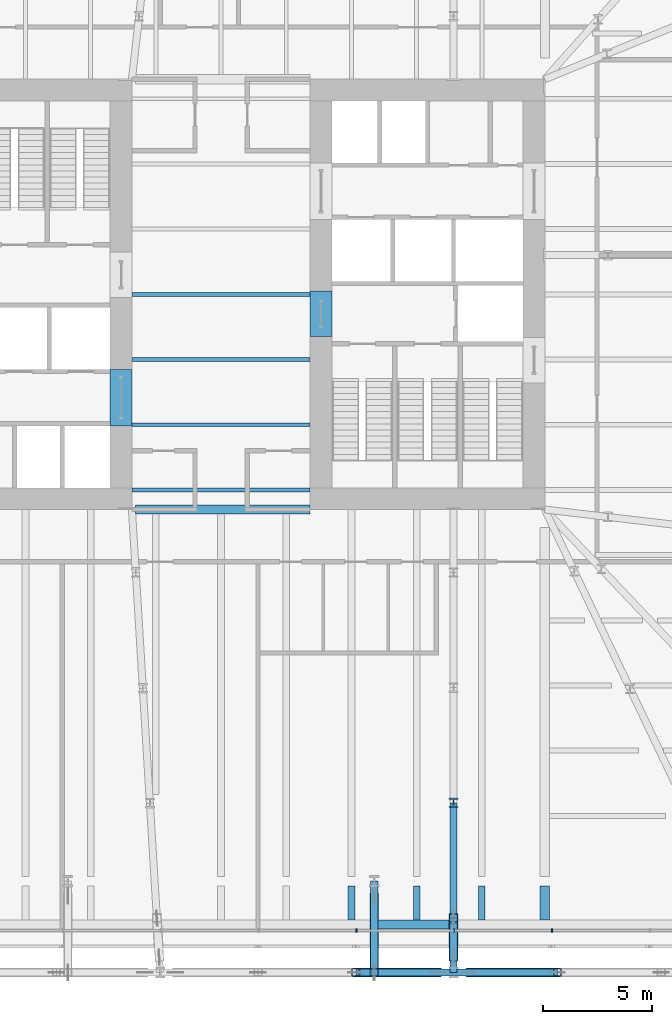
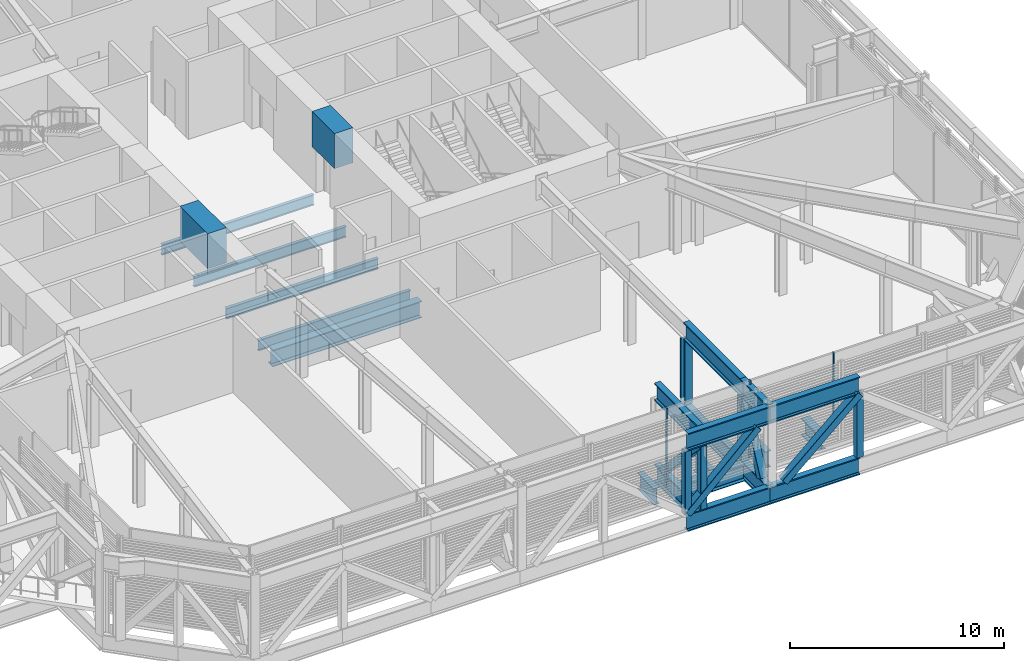
# One storey, part 6 of 29: 22 beams, 12 members, 1 element without a shape of its own.
"""IFC4 building model written with IfcOpenShell, lengths in metres."""

import ifcopenshell
import ifcopenshell.guid

model = None  # the IFC model being written
_history = None  # IfcOwnerHistory: only IFC2X3 demands one
_inside = {}  # id of a spatial element -> (the spatial element, [elements in it])
_under = {}  # id of a project, library or spatial element -> (it, [spatial elements below it])
_declared = {}  # id of a project -> (the project, [libraries it declares])
_typed = {}  # id of a type object -> (the type object, [elements of that type])
_made_of = {}  # id of a material, layer set ... -> (it, [elements and type objects made of it])


def new_model(schema):
    """Start an empty IFC model of exactly this schema.

    Asked for "IFC4X3", IfcOpenShell would pick the latest addendum, in which some entities
    have other attributes; the version numbers below select the first issue.
    IFC2X3 requires an IfcOwnerHistory on every rooted entity: one is made here for all.
    """
    global model, _history
    if schema == "IFC4X3":
        model = ifcopenshell.file(schema_version=(4, 3, 0, 0))
    else:
        model = ifcopenshell.file(schema=schema)
    _inside.clear()
    _under.clear()
    _declared.clear()
    _typed.clear()
    _made_of.clear()
    _history = None
    if model.schema == "IFC2X3":
        org = make("IfcOrganization", Name="unknown")
        user = make(
            "IfcPersonAndOrganization",
            ThePerson=make("IfcPerson", FamilyName="unknown"),
            TheOrganization=org,
        )
        app = make(
            "IfcApplication",
            ApplicationDeveloper=org,
            Version="unknown",
            ApplicationFullName="unknown",
            ApplicationIdentifier="unknown",
        )
        _history = make(
            "IfcOwnerHistory",
            OwningUser=user,
            OwningApplication=app,
            ChangeAction="ADDED",
            CreationDate=0,
        )
    return model


def make(cls, **values):
    """One entity of the class cls with the attributes given. An attribute that is None is left unset."""
    return model.create_entity(
        cls, **{name: value for name, value in values.items() if value is not None}
    )


def rooted(cls, **values):
    """An entity with a GlobalId (a new one), such as an element, a storey or a relation."""
    return make(cls, GlobalId=ifcopenshell.guid.new(), OwnerHistory=_history, **values)


def si_unit(unit_type, name, prefix=None):
    """IfcSIUnit, for example si_unit("LENGTHUNIT", "METRE", prefix="MILLI")."""
    return make("IfcSIUnit", UnitType=unit_type, Prefix=prefix, Name=name)


def assignment(units):
    """IfcUnitAssignment: the units of a project."""
    return None if units is None else make("IfcUnitAssignment", Units=units)


def point(xyz):
    """IfcCartesianPoint."""
    return None if xyz is None else make("IfcCartesianPoint", Coordinates=xyz)


def direction(xyz):
    """IfcDirection."""
    return None if xyz is None else make("IfcDirection", DirectionRatios=xyz)


def frame(location, z_axis=None, x_axis=None):
    """IfcAxis2Placement3D, a coordinate frame: its origin and axes. An axis left out is left unset."""
    return make(
        "IfcAxis2Placement3D",
        Location=point(location),
        Axis=direction(z_axis),
        RefDirection=direction(x_axis),
    )


def frame_2d(location, x_axis=None):
    """IfcAxis2Placement2D, a coordinate frame in the plane: its origin and x axis."""
    return make(
        "IfcAxis2Placement2D", Location=point(location), RefDirection=direction(x_axis)
    )


def origin():
    """The frame at (0, 0, 0) with its axes left unset."""
    return frame((0.0, 0.0, 0.0))


def origin_2d():
    """The frame at (0, 0) in the plane with its x axis left unset."""
    return frame_2d((0.0, 0.0))


def place(relative_to, where):
    """IfcLocalPlacement: puts the frame where relative to a parent placement (None: the world)."""
    return make(
        "IfcLocalPlacement", PlacementRelTo=relative_to, RelativePlacement=where
    )


def context(
    kind, dimensions, precision=None, world=None, true_north=None, identifier=None
):
    """IfcGeometricRepresentationContext, for example the 3D "Model" context."""
    return make(
        "IfcGeometricRepresentationContext",
        ContextIdentifier=identifier,
        ContextType=kind,
        CoordinateSpaceDimension=dimensions,
        Precision=precision,
        WorldCoordinateSystem=world,
        TrueNorth=true_north,
    )


def subcontext(parent, identifier, kind, view, scale=None):
    """IfcGeometricRepresentationSubContext, for example "Body" below "Model"."""
    return make(
        "IfcGeometricRepresentationSubContext",
        ContextIdentifier=identifier,
        ContextType=kind,
        ParentContext=parent,
        TargetScale=scale,
        TargetView=view,
    )


def project(units=None, contexts=None):
    """IfcProject with its units and contexts."""
    return rooted(
        "IfcProject",
        Name="project",
        RepresentationContexts=contexts,
        UnitsInContext=assignment(units),
    )


def spatial(cls, under=None, at=None, **own):
    """A site, building, storey or space (cls), placed at a placement, below another one or the project."""
    s = rooted(cls, ObjectPlacement=at, **own)
    if under is not None:
        _under.setdefault(under.id(), (under, []))[1].append(s)
    return s


def profile(cls, at=None, kind="AREA", **sizes):
    """A parametric profile (cls). Its sizes go by their IFC names, for example OverallWidth=200.0."""
    return make(cls, ProfileType=kind, Position=at, **sizes)


def rectangle(**sizes):
    """IfcRectangleProfileDef."""
    return profile("IfcRectangleProfileDef", **sizes)


def hollow_rectangle(**sizes):
    """IfcRectangleHollowProfileDef."""
    return profile("IfcRectangleHollowProfileDef", **sizes)


def i_section(**sizes):
    """IfcIShapeProfileDef."""
    return profile("IfcIShapeProfileDef", **sizes)


def extrude(swept, where, along, depth):
    """IfcExtrudedAreaSolid: the profile swept, set in the frame where, extruded along a direction by depth."""
    return make(
        "IfcExtrudedAreaSolid",
        SweptArea=swept,
        Position=where,
        ExtrudedDirection=direction(along),
        Depth=depth,
    )


def shape(context_of_items, identifier, shape_type, items):
    """IfcShapeRepresentation: the items that make up one representation, for example the "Body"."""
    return make(
        "IfcShapeRepresentation",
        ContextOfItems=context_of_items,
        RepresentationIdentifier=identifier,
        RepresentationType=shape_type,
        Items=items,
    )


def material(Name=None, Category=None):
    """IfcMaterial."""
    return make("IfcMaterial", Name=Name, Category=Category)


def layer(
    of_material, thickness, ventilated=None, Name=None, Category=None, Priority=None
):
    """IfcMaterialLayer: one layer of a wall or slab, of a material (None: an air gap)."""
    return make(
        "IfcMaterialLayer",
        Material=of_material,
        LayerThickness=thickness,
        IsVentilated=ventilated,
        Name=Name,
        Category=Category,
        Priority=Priority,
    )


def layer_set(layers, Name=None):
    """IfcMaterialLayerSet."""
    return make("IfcMaterialLayerSet", MaterialLayers=layers, LayerSetName=Name)


def material_profile(
    of_material, cross_section, Name=None, Category=None, Priority=None
):
    """IfcMaterialProfile: a cross section and its material."""
    return make(
        "IfcMaterialProfile",
        Name=Name,
        Material=of_material,
        Profile=cross_section,
        Priority=Priority,
        Category=Category,
    )


def profile_set(profiles, Name=None, composite=None):
    """IfcMaterialProfileSet."""
    return make(
        "IfcMaterialProfileSet",
        Name=Name,
        MaterialProfiles=profiles,
        CompositeProfile=composite,
    )


def made_of(thing, what):
    """Note that an element or type object is made of a material, layer set ...; save() writes the relation."""
    if what is not None:
        _made_of.setdefault(what.id(), (what, []))[1].append(thing)
    return thing


def type_object(cls, material=None, **own):
    """A type object (cls), such as IfcWallType, which elements share."""
    return made_of(rooted(cls, **own), material)


def element(
    cls,
    number,
    at=None,
    inside=None,
    cuts=None,
    type_object=None,
    material=None,
    context=None,
    identifier="Body",
    shape_type=None,
    held_by="IfcProductDefinitionShape",
    body=None,
    shapes=None,
    **own,
):
    """One element of the class cls, such as IfcWall. Its Tag is "e" and its number.

    at: its placement. inside: the storey or other place that contains it. cuts: it is an
    opening in that element (IfcRelVoidsElement). A single representation is given by context,
    identifier, shape_type and body (its items); several are given by shapes. held_by: the class
    of the entity that holds the representations. save() writes the other relations.
    """
    e = rooted(cls, Tag="e%d" % number, ObjectPlacement=at, **own)
    if body is not None:
        shapes = [shape(context, identifier, shape_type, body)]
    if shapes is not None:
        e.Representation = make(held_by, Representations=shapes)
    if inside is not None:
        _inside.setdefault(inside.id(), (inside, []))[1].append(e)
    if cuts is not None:
        rooted(
            "IfcRelVoidsElement", RelatingBuildingElement=cuts, RelatedOpeningElement=e
        )
    if type_object is not None:
        _typed.setdefault(type_object.id(), (type_object, []))[1].append(e)
    return made_of(e, material)


def aggregate(whole, parts):
    """IfcRelAggregates: a whole, such as a stair, and the parts it consists of."""
    return rooted("IfcRelAggregates", RelatingObject=whole, RelatedObjects=parts)


def save(model, path):
    """Write the relations noted so far, then the file.

    IfcRelAggregates (storeys below a building ...), IfcRelContainedInSpatialStructure (elements
    in a storey), IfcRelDefinesByType, IfcRelAssociatesMaterial and IfcRelDeclares: one each for
    every whole, place, type object, material and project.
    """
    for whole, parts in _under.values():
        aggregate(whole, parts)
    for where, things in _inside.values():
        rooted(
            "IfcRelContainedInSpatialStructure",
            RelatedElements=things,
            RelatingStructure=where,
        )
    for kind, things in _typed.values():
        rooted("IfcRelDefinesByType", RelatedObjects=things, RelatingType=kind)
    for what, things in _made_of.values():
        rooted("IfcRelAssociatesMaterial", RelatedObjects=things, RelatingMaterial=what)
    for by, libraries in _declared.values():
        rooted("IfcRelDeclares", RelatingContext=by, RelatedDefinitions=libraries)
    model.write(path)


model = new_model("IFC4")

# Units and contexts
model_context = context("Model", 3, precision=1e-05, world=origin(), true_north=direction((0.0, 1.0)))
body_context = subcontext(model_context, "Body", "Model", "MODEL_VIEW")
ifc_project = project(units=[si_unit("LENGTHUNIT", "METRE"), si_unit("AREAUNIT", "SQUARE_METRE"), si_unit("VOLUMEUNIT", "CUBIC_METRE"), si_unit("PLANEANGLEUNIT", "RADIAN"), si_unit("MASSUNIT", "GRAM", prefix="KILO")], contexts=[model_context])

# Site, building, storey
site_placement = place(None, origin())
site = spatial("IfcSite", under=ifc_project, at=site_placement, CompositionType="ELEMENT")
building_placement = place(site_placement, origin())
building = spatial("IfcBuilding", under=site, at=building_placement, Name="Millrace Tower", CompositionType="ELEMENT")
storey_placement = place(building_placement, frame((0.0, 0.0, 68.60009765625)))
storey = spatial("IfcBuildingStorey", under=building, at=storey_placement, Name="L15", CompositionType="ELEMENT", Elevation=68.60009765625)

# Curtain wall, members
ifc_material_1 = material(Name="Aluminium and glass", Category="aluminium")
ifc_layer = layer(ifc_material_1, 0.14990234375)
ifc_layer_set = layer_set([ifc_layer], Name="Aluminium and glass")
curtain_wall_type = type_object("IfcCurtainWallType", Name="CW-5 truss and plant storey louvred infill", PredefinedType="NOTDEFINED", material=ifc_layer_set)
curtain_wall_placement = place(storey_placement, origin())
curtain_wall = element("IfcCurtainWall", 1, at=curtain_wall_placement, inside=storey, type_object=curtain_wall_type, Name="Curtain wall B-F02 L15", PredefinedType="NOTDEFINED")
ifc_material_2 = material(Name="Aluminium", Category="aluminium")
ifc_material_profile_1 = material_profile(ifc_material_2, rectangle(XDim=0.06494140625, YDim=0.14990234375, at=origin_2d()))
ifc_profile_set_1 = profile_set([ifc_material_profile_1], Name="Aluminium")
member_type_1 = type_object("IfcMemberType", Name="CW-5 truss and plant storey louvred infill mullion", PredefinedType="MULLION", material=ifc_profile_set_1)
member_1_placement = place(storey_placement, frame((6.232421875, -29.27490234375, 0.139892578125), z_axis=(0.0, 0.0, 1.0), x_axis=(1.0, 0.0, 0.0)))
member_1 = element("IfcMember", 2, at=member_1_placement, type_object=member_type_1, Name="CW5 mullion B-F02.6", PredefinedType="MULLION", context=body_context, shape_type="SweptSolid", body=[
    extrude(rectangle(XDim=0.06494140625, YDim=0.14990234375, at=origin_2d()), origin(), (0.0, 0.0, 1.0), 4.4599609375),
])
member_2_placement = place(storey_placement, frame((10.732421875, -29.27490234375, 0.139892578125), z_axis=(0.0, 0.0, 1.0), x_axis=(1.0, 0.0, 0.0)))
member_2 = element("IfcMember", 3, at=member_2_placement, type_object=member_type_1, Name="CW5 mullion B-F02.7", PredefinedType="MULLION", context=body_context, shape_type="SweptSolid", body=[
    extrude(rectangle(XDim=0.06494140625, YDim=0.14990234375, at=origin_2d()), origin(), (0.0, 0.0, 1.0), 4.4599609375),
])
member_3_placement = place(storey_placement, frame((15.232421875, -29.27490234375, 0.139892578125), z_axis=(0.0, 0.0, 1.0), x_axis=(1.0, 0.0, 0.0)))
member_3 = element("IfcMember", 4, at=member_3_placement, type_object=member_type_1, Name="CW5 mullion B-F02.8", PredefinedType="MULLION", context=body_context, shape_type="SweptSolid", body=[
    extrude(rectangle(XDim=0.06494140625, YDim=0.14990234375, at=origin_2d()), origin(), (0.0, 0.0, 1.0), 4.4599609375),
])
aggregate(curtain_wall, [member_1, member_2, member_3])

# Beams
ifc_material_3 = material(Name="Concrete C80", Category="concrete")
ifc_material_profile_2 = material_profile(ifc_material_3, rectangle(XDim=1.0, YDim=2.0, at=origin_2d()))
ifc_profile_set_2 = profile_set([ifc_material_profile_2], Name="Concrete C80")
beam_type_1 = type_object("IfcBeamType", Name="Coupling beam 1000 x 2000 Concrete C80, 1300 opening", PredefinedType="BEAM", material=ifc_profile_set_2)
beam_1_placement = place(storey_placement, frame((4.60009765625, 0.14990234375, 3.39990234375), z_axis=(0.0, -1.0, 0.0), x_axis=(1.0, 0.0, 0.0)))
element("IfcBeam", 5, at=beam_1_placement, inside=storey, type_object=beam_type_1, Name="Coupling beam E L15", PredefinedType="BEAM", context=body_context, shape_type="SweptSolid", body=[
    extrude(rectangle(XDim=1.0, YDim=2.0, at=origin_2d()), origin(), (0.0, 0.0, 1.0), 2.099853515625),
])
ifc_material_4 = material(Name="Concrete C80", Category="concrete")
ifc_material_profile_3 = material_profile(ifc_material_4, rectangle(XDim=1.0, YDim=2.0, at=origin_2d()))
ifc_profile_set_3 = profile_set([ifc_material_profile_3], Name="Concrete C80")
beam_type_2 = type_object("IfcBeamType", Name="Coupling beam 1000 x 2000 Concrete C80, 2000 opening", PredefinedType="BEAM", material=ifc_profile_set_3)
beam_2_placement = place(storey_placement, frame((-4.60009765625, -6.050048828125, 3.39990234375), z_axis=(0.0, 1.0, 0.0), x_axis=(-1.0, 0.0, 0.0)))
element("IfcBeam", 6, at=beam_2_placement, inside=storey, type_object=beam_type_2, Name="Coupling beam W L15", PredefinedType="BEAM", context=body_context, shape_type="SweptSolid", body=[
    extrude(rectangle(XDim=1.0, YDim=2.0, at=origin_2d()), origin(), (0.0, 0.0, 1.0), 2.60009765625),
])
ifc_material_5 = material(Name="Steel ASTM A992 Grade 50", Category="steel")
ifc_material_profile_4 = material_profile(ifc_material_5, i_section(OverallWidth=0.177978515625, OverallDepth=0.599365234375, WebThickness=0.010009765625, FlangeThickness=0.012939453125, FilletRadius=0.012939453125, at=origin_2d()))
ifc_profile_set_4 = profile_set([ifc_material_profile_4], Name="Steel ASTM A992 Grade 50")
beam_type_3 = type_object("IfcBeamType", Name="Floor beam W24x55", PredefinedType="JOIST", material=ifc_profile_set_4)
for number, where, z_axis, x_axis, name in (
    (7, (-4.10009765625, -9.0, -0.499755859375), (1.0, 0.0, 0.0), (0.0, 1.0, 0.0), "BM-B-L15-S1-S013"),
    (8, (-4.10009765625, -6.0, -0.499755859375), (1.0, 0.0, 0.0), (0.0, 1.0, 0.0), "BM-B-L15-S1-S016"),
    (9, (-4.10009765625, -3.0, -0.499755859375), (1.0, 0.0, 0.0), (0.0, 1.0, 0.0), "BM-B-L15-S1-S019"),
    (10, (-4.10009765625, 0.0, -0.499755859375), (1.0, 0.0, 0.0), (0.0, 1.0, 0.0), "BM-B-L15-S1-S022"),
):
    element("IfcBeam", number, at=place(storey_placement, frame(where, z_axis=z_axis, x_axis=x_axis)), inside=storey, type_object=beam_type_3, Name=name, PredefinedType="JOIST", context=body_context, shape_type="SweptSolid", body=[
        extrude(i_section(OverallWidth=0.177978515625, OverallDepth=0.599365234375, WebThickness=0.010009765625, FlangeThickness=0.012939453125, FilletRadius=0.012939453125, at=origin_2d()), origin(), (0.0, 0.0, 1.0), 8.2001953125),
    ])
ifc_material_6 = material(Name="Steel ASTM A992 Grade 50", Category="steel")
ifc_material_profile_5 = material_profile(ifc_material_6, i_section(OverallWidth=0.307373046875, OverallDepth=0.927001953125, WebThickness=0.01953125, FlangeThickness=0.031982421875, FilletRadius=0.01904296875, at=origin_2d()))
ifc_profile_set_5 = profile_set([ifc_material_profile_5], Name="Steel ASTM A992 Grade 50")
beam_type_4 = type_object("IfcBeamType", Name="Floor beam W36x194", PredefinedType="JOIST", material=ifc_profile_set_5)
for number, where, z_axis, x_axis, name in (
    (11, (6.0, -28.781005859375, -0.66357421875), (0.0, 1.0, 0.0), (-1.0, 0.0, 0.0), "BM-B-L15-S1-S053-a"),
    (12, (9.0, -28.781005859375, -0.66357421875), (0.0, 1.0, 0.0), (-1.0, 0.0, 0.0), "BM-B-L15-S1-S055-a"),
    (13, (12.0, -28.781005859375, -0.66357421875), (0.0, 1.0, 0.0), (-1.0, 0.0, 0.0), "BM-B-L15-S1-S057-a"),
):
    element("IfcBeam", number, at=place(storey_placement, frame(where, z_axis=z_axis, x_axis=x_axis)), inside=storey, type_object=beam_type_4, Name=name, PredefinedType="JOIST", context=body_context, shape_type="SweptSolid", body=[
        extrude(i_section(OverallWidth=0.307373046875, OverallDepth=0.927001953125, WebThickness=0.01953125, FlangeThickness=0.031982421875, FilletRadius=0.01904296875, at=origin_2d()), origin(), (0.0, 0.0, 1.0), 1.560791015625),
    ])
ifc_material_7 = material(Name="Steel ASTM A992 Grade 50", Category="steel")
ifc_material_profile_6 = material_profile(ifc_material_7, i_section(OverallWidth=0.421630859375, OverallDepth=0.937255859375, WebThickness=0.021240234375, FlangeThickness=0.03662109375, FilletRadius=0.024169921875, at=origin_2d()))
ifc_profile_set_6 = profile_set([ifc_material_profile_6], Name="Steel ASTM A992 Grade 50")
beam_type_5 = type_object("IfcBeamType", Name="Girder short span W36x262", PredefinedType="BEAM", material=ifc_profile_set_6)
beam_3_placement = place(storey_placement, frame((-3.9384765625, -9.89990234375, -0.668701171875), z_axis=(1.0, 0.0, 0.0), x_axis=(0.0, 1.0, 0.0)))
element("IfcBeam", 14, at=beam_3_placement, inside=storey, type_object=beam_type_5, Name="BM-B-L15-S1-G063", PredefinedType="BEAM", context=body_context, shape_type="SweptSolid", body=[
    extrude(i_section(OverallWidth=0.421630859375, OverallDepth=0.937255859375, WebThickness=0.021240234375, FlangeThickness=0.03662109375, FilletRadius=0.024169921875, at=origin_2d()), origin(), (0.0, 0.0, 1.0), 8.03857421875),
])
ifc_material_8 = material(Name="Steel ASTM A992 Grade 50", Category="steel")
ifc_material_profile_7 = material_profile(ifc_material_8, i_section(OverallWidth=0.424072265625, OverallDepth=0.947509765625, WebThickness=0.02392578125, FlangeThickness=0.042724609375, FilletRadius=0.024169921875, at=origin_2d()))
ifc_profile_set_7 = profile_set([ifc_material_profile_7], Name="Steel ASTM A992 Grade 50")
beam_type_6 = type_object("IfcBeamType", Name="Girder short span W36x302", PredefinedType="BEAM", material=ifc_profile_set_7)
beam_4_placement = place(storey_placement, frame((14.89990234375, -28.781005859375, -0.673828125), z_axis=(0.0, 1.0, 0.0), x_axis=(-1.0, 0.0, 0.0)))
element("IfcBeam", 15, at=beam_4_placement, inside=storey, type_object=beam_type_6, Name="BM-B-L15-S1-G061-a", PredefinedType="BEAM", context=body_context, shape_type="SweptSolid", body=[
    extrude(i_section(OverallWidth=0.424072265625, OverallDepth=0.947509765625, WebThickness=0.02392578125, FlangeThickness=0.042724609375, FilletRadius=0.024169921875, at=origin_2d()), origin(), (0.0, 0.0, 1.0), 1.5625),
])
ifc_material_9 = material(Name="Steel ASTM A992 Grade 50", Category="steel")
ifc_material_profile_8 = material_profile(ifc_material_9, i_section(OverallWidth=0.419189453125, OverallDepth=0.927001953125, WebThickness=0.019287109375, FlangeThickness=0.031982421875, FilletRadius=0.024169921875, at=origin_2d()))
ifc_profile_set_8 = profile_set([ifc_material_profile_8], Name="Steel ASTM A992 Grade 50")
beam_type_7 = type_object("IfcBeamType", Name="Ring beam short span W36x231", PredefinedType="SPANDREL", material=ifc_profile_set_8)
beam_5_placement = place(storey_placement, frame((10.538818359375, -28.990478515625, -0.66357421875), z_axis=(-1.0, 0.0, 0.0), x_axis=(0.0, -1.0, 0.0)))
element("IfcBeam", 16, at=beam_5_placement, inside=storey, type_object=beam_type_7, Name="RNG-B-L15-S1-14-a", PredefinedType="SPANDREL", context=body_context, shape_type="SweptSolid", body=[
    extrude(i_section(OverallWidth=0.419189453125, OverallDepth=0.927001953125, WebThickness=0.019287109375, FlangeThickness=0.031982421875, FilletRadius=0.024169921875, at=origin_2d()), origin(), (0.0, 0.0, 1.0), 3.325927734375),
])

# Members
ifc_material_10 = material(Name="Steel ASTM A992 Grade 50", Category="steel")
ifc_material_profile_9 = material_profile(ifc_material_10, i_section(OverallWidth=0.411376953125, OverallDepth=0.434326171875, WebThickness=0.035888671875, FlangeThickness=0.057373046875, FilletRadius=0.01513671875, at=origin_2d()))
ifc_profile_set_9 = profile_set([ifc_material_profile_9], Name="Steel ASTM A992 Grade 50")
member_type_2 = type_object("IfcMemberType", Name="Transfer truss Vierendeel moment post W14x311", PredefinedType="POST", material=ifc_profile_set_9)
for number, where, z_axis, x_axis, name in (
    (17, (10.699951171875, -28.699951171875, -0.2001953125), (0.0, 0.0, 1.0), (1.0, 0.0, 0.0), "TRS-L15-C04-V01"),
    (18, (10.699951171875, -23.39990234375, -0.2001953125), (0.0, 0.0, 1.0), (1.0, 0.0, 0.0), "TRS-L15-C04-V02"),
):
    element("IfcMember", number, at=place(storey_placement, frame(where, z_axis=z_axis, x_axis=x_axis)), inside=storey, type_object=member_type_2, Name=name, PredefinedType="POST", context=body_context, shape_type="SweptSolid", body=[
        extrude(i_section(OverallWidth=0.411376953125, OverallDepth=0.434326171875, WebThickness=0.035888671875, FlangeThickness=0.057373046875, FilletRadius=0.01513671875, at=origin_2d()), origin(), (0.0, 0.0, 1.0), 3.60693359375),
    ])

# Beams
ifc_material_11 = material(Name="Steel ASTM A992 Grade 50", Category="steel")
ifc_material_profile_10 = material_profile(ifc_material_11, i_section(OverallWidth=0.322509765625, OverallDepth=0.9931640625, WebThickness=0.0361328125, FlangeThickness=0.06494140625, FilletRadius=0.01904296875, at=origin_2d()))
ifc_profile_set_10 = profile_set([ifc_material_profile_10], Name="Steel ASTM A992 Grade 50")
beam_type_8 = type_object("IfcBeamType", Name="Transfer truss chord W36x387", PredefinedType="BEAM", material=ifc_profile_set_10)
for number, where, z_axis, x_axis, name in (
    (19, (6.199951171875, -31.199951171875, -0.69677734375), (1.0, 0.0, 0.0), (0.0, 1.0, 0.0), "TRS-L15-R03-B03"),
    (20, (6.199951171875, -31.199951171875, 3.9033203125), (1.0, 0.0, 0.0), (0.0, 1.0, 0.0), "TRS-L15-R03-T03"),
):
    element("IfcBeam", number, at=place(storey_placement, frame(where, z_axis=z_axis, x_axis=x_axis)), inside=storey, type_object=beam_type_8, Name=name, PredefinedType="BEAM", context=body_context, shape_type="SweptSolid", body=[
        extrude(i_section(OverallWidth=0.322509765625, OverallDepth=0.9931640625, WebThickness=0.0361328125, FlangeThickness=0.06494140625, FilletRadius=0.01904296875, at=origin_2d()), origin(), (0.0, 0.0, 1.0), 4.5),
    ])
for number, where, z_axis, x_axis, name in (
    (21, (10.699951171875, -31.199951171875, -0.69677734375), (1.0, 0.0, 0.0), (0.0, 1.0, 0.0), "TRS-L15-R04-B01"),
    (22, (10.699951171875, -31.199951171875, 3.9033203125), (1.0, 0.0, 0.0), (0.0, 1.0, 0.0), "TRS-L15-R04-T01"),
):
    element("IfcBeam", number, at=place(storey_placement, frame(where, z_axis=z_axis, x_axis=x_axis)), inside=storey, type_object=beam_type_8, Name=name, PredefinedType="BEAM", context=body_context, shape_type="SweptSolid", body=[
        extrude(i_section(OverallWidth=0.322509765625, OverallDepth=0.9931640625, WebThickness=0.0361328125, FlangeThickness=0.06494140625, FilletRadius=0.01904296875, at=origin_2d()), origin(), (0.0, 0.0, 1.0), 4.776123046875),
    ])
for number, where, z_axis, x_axis, name in (
    (23, (10.699951171875, -31.199951171875, -0.69677734375), (0.0, 1.0, 0.0), (-1.0, 0.0, 0.0), "TRS-L15-C04-B01"),
    (24, (10.699951171875, -31.199951171875, 3.9033203125), (0.0, 1.0, 0.0), (-1.0, 0.0, 0.0), "TRS-L15-C04-T01"),
):
    element("IfcBeam", number, at=place(storey_placement, frame(where, z_axis=z_axis, x_axis=x_axis)), inside=storey, type_object=beam_type_8, Name=name, PredefinedType="BEAM", context=body_context, shape_type="SweptSolid", body=[
        extrude(i_section(OverallWidth=0.322509765625, OverallDepth=0.9931640625, WebThickness=0.0361328125, FlangeThickness=0.06494140625, FilletRadius=0.01904296875, at=origin_2d()), origin(), (0.0, 0.0, 1.0), 2.5),
    ])
for number, where, z_axis, x_axis, name in (
    (25, (10.699951171875, -28.699951171875, -0.69677734375), (0.0, 1.0, 0.0), (-1.0, 0.0, 0.0), "TRS-L15-C04-B02"),
    (26, (10.699951171875, -28.699951171875, 3.9033203125), (0.0, 1.0, 0.0), (-1.0, 0.0, 0.0), "TRS-L15-C04-T02"),
):
    element("IfcBeam", number, at=place(storey_placement, frame(where, z_axis=z_axis, x_axis=x_axis)), inside=storey, type_object=beam_type_8, Name=name, PredefinedType="BEAM", context=body_context, shape_type="SweptSolid", body=[
        extrude(i_section(OverallWidth=0.322509765625, OverallDepth=0.9931640625, WebThickness=0.0361328125, FlangeThickness=0.06494140625, FilletRadius=0.01904296875, at=origin_2d()), origin(), (0.0, 0.0, 1.0), 5.300048828125),
    ])
for number, where, z_axis, x_axis, name in (
    (27, (7.050048828125, -27.0, -0.69677734375), (0.0, -1.0, 0.0), (1.0, 0.0, 0.0), "TRS-L15-B-A-X04-B01"),
    (28, (7.050048828125, -27.0, 3.9033203125), (0.0, -1.0, 0.0), (1.0, 0.0, 0.0), "TRS-L15-B-A-X04-T01"),
):
    element("IfcBeam", number, at=place(storey_placement, frame(where, z_axis=z_axis, x_axis=x_axis)), inside=storey, type_object=beam_type_8, Name=name, PredefinedType="BEAM", context=body_context, shape_type="SweptSolid", body=[
        extrude(i_section(OverallWidth=0.322509765625, OverallDepth=0.9931640625, WebThickness=0.0361328125, FlangeThickness=0.06494140625, FilletRadius=0.01904296875, at=origin_2d()), origin(), (0.0, 0.0, 1.0), 4.038818359375),
    ])

# Members
ifc_material_12 = material(Name="Steel ASTM A500 Grade C", Category="steel")
ifc_material_profile_11 = material_profile(ifc_material_12, hollow_rectangle(XDim=0.406494140625, YDim=0.406494140625, WallThickness=0.015869140625, InnerFilletRadius=0.008056640625, OuterFilletRadius=0.02392578125, at=origin_2d()))
ifc_profile_set_11 = profile_set([ifc_material_profile_11], Name="Steel ASTM A500 Grade C")
member_type_3 = type_object("IfcMemberType", Name="Transfer truss diagonal HSS16x16x5/8", PredefinedType="BRACE", material=ifc_profile_set_11)
member_4_placement = place(storey_placement, frame((6.199951171875, -31.199951171875, -0.2001953125), z_axis=(0.72529603748, 0.0, 0.688437112607), x_axis=(0.0, 1.0, 0.0)))
element("IfcMember", 29, at=member_4_placement, inside=storey, type_object=member_type_3, Name="TRS-L15-R03-D03", PredefinedType="BRACE", context=body_context, shape_type="SweptSolid", body=[
    extrude(hollow_rectangle(XDim=0.406494140625, YDim=0.406494140625, WallThickness=0.015869140625, InnerFilletRadius=0.008056640625, OuterFilletRadius=0.02392578125, at=origin_2d()), origin(), (0.0, 0.0, 1.0), 5.2392578125),
])
member_5_placement = place(storey_placement, frame((11.39990234375, -31.199951171875, -0.2001953125), z_axis=(0.748897240511, 0.0, 0.662686142268), x_axis=(0.0, 1.0, 0.0)))
element("IfcMember", 30, at=member_5_placement, inside=storey, type_object=member_type_3, Name="TRS-L15-R04-D01", PredefinedType="BRACE", context=body_context, shape_type="SweptSolid", body=[
    extrude(hollow_rectangle(XDim=0.406494140625, YDim=0.406494140625, WallThickness=0.015869140625, InnerFilletRadius=0.008056640625, OuterFilletRadius=0.02392578125, at=origin_2d()), origin(), (0.0, 0.0, 1.0), 5.44287109375),
])
member_6_placement = place(storey_placement, frame((10.699951171875, -30.5, -0.2001953125), z_axis=(0.0, 0.446535154983, 0.894766089749), x_axis=(-1.0, 0.0, 0.0)))
element("IfcMember", 31, at=member_6_placement, inside=storey, type_object=member_type_3, Name="TRS-L15-C04-D01", PredefinedType="BRACE", context=body_context, shape_type="SweptSolid", body=[
    extrude(hollow_rectangle(XDim=0.406494140625, YDim=0.406494140625, WallThickness=0.015869140625, InnerFilletRadius=0.008056640625, OuterFilletRadius=0.02392578125, at=origin_2d()), origin(), (0.0, 0.0, 1.0), 4.03125),
])
member_7_placement = place(storey_placement, frame((7.050048828125, -27.699951171875, -0.2001953125), z_axis=(0.0, -0.69638856238, 0.717664942843), x_axis=(1.0, 0.0, 0.0)))
element("IfcMember", 32, at=member_7_placement, inside=storey, type_object=member_type_3, Name="TRS-L15-B-A-X04-D01", PredefinedType="BRACE", context=body_context, shape_type="SweptSolid", body=[
    extrude(hollow_rectangle(XDim=0.406494140625, YDim=0.406494140625, WallThickness=0.015869140625, InnerFilletRadius=0.008056640625, OuterFilletRadius=0.02392578125, at=origin_2d()), origin(), (0.0, 0.0, 1.0), 5.02587890625),
])
ifc_material_13 = material(Name="Steel ASTM A500 Grade C", Category="steel")
ifc_material_profile_12 = material_profile(ifc_material_13, hollow_rectangle(XDim=0.355712890625, YDim=0.355712890625, WallThickness=0.015869140625, InnerFilletRadius=0.008056640625, OuterFilletRadius=0.02392578125, at=origin_2d()))
ifc_profile_set_12 = profile_set([ifc_material_profile_12], Name="Steel ASTM A500 Grade C")
member_type_4 = type_object("IfcMemberType", Name="Transfer truss post HSS14x14x5/8", PredefinedType="POST", material=ifc_profile_set_12)
for number, where, z_axis, x_axis, name in (
    (33, (6.199951171875, -31.199951171875, -0.2001953125), (0.0, 0.0, 1.0), (1.0, 0.0, 0.0), "TRS-L15-R03-V02"),
    (34, (15.47607421875, -31.199951171875, -0.2001953125), (0.0, 0.0, 1.0), (1.0, 0.0, 0.0), "TRS-L15-R04-V01"),
    (35, (7.050048828125, -31.199951171875, -0.2001953125), (0.0, 0.0, 1.0), (1.0, 0.0, 0.0), "TRS-L15-B-A-X04-V01"),
):
    element("IfcMember", number, at=place(storey_placement, frame(where, z_axis=z_axis, x_axis=x_axis)), inside=storey, type_object=member_type_4, Name=name, PredefinedType="POST", context=body_context, shape_type="SweptSolid", body=[
        extrude(hollow_rectangle(XDim=0.355712890625, YDim=0.355712890625, WallThickness=0.015869140625, InnerFilletRadius=0.008056640625, OuterFilletRadius=0.02392578125, at=origin_2d()), origin(), (0.0, 0.0, 1.0), 3.60693359375),
    ])

save(model, "model.ifc")
